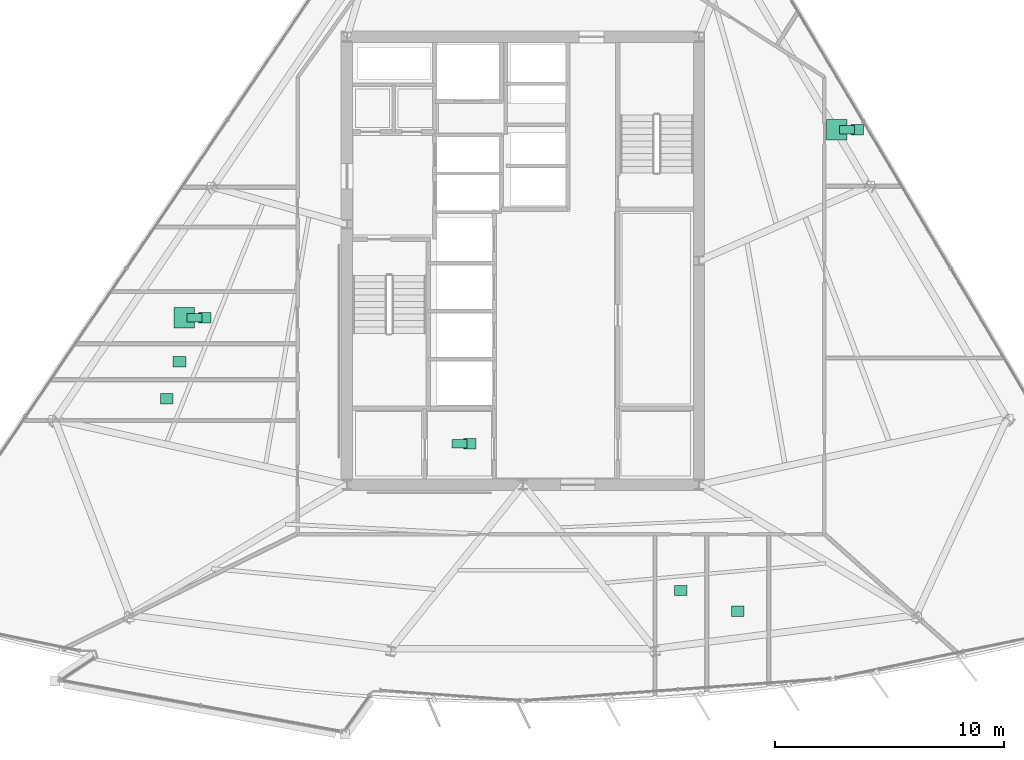
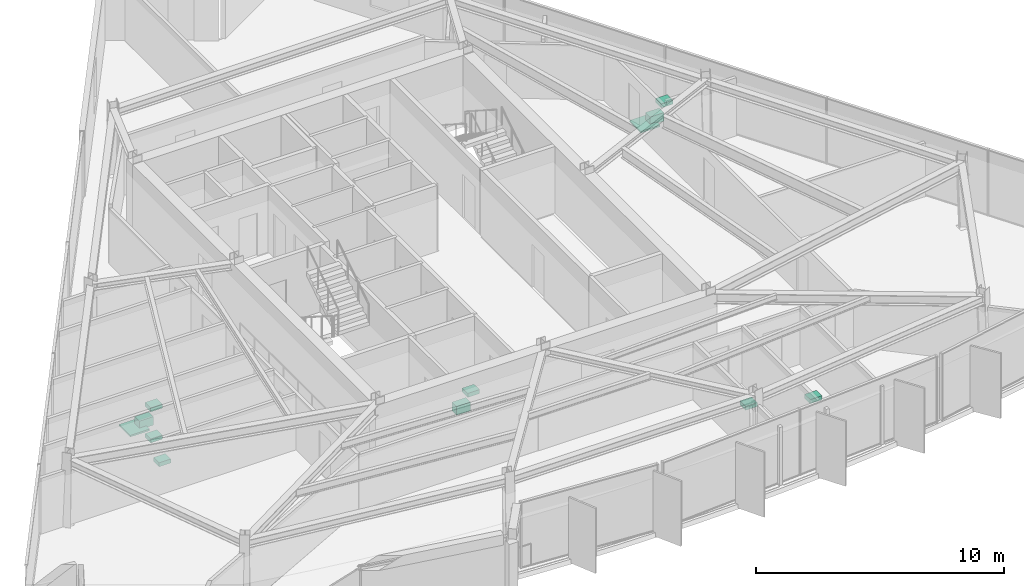
# One storey, part 14 of 14: 12 sanitary terminals.
"""IFC4 building model written with IfcOpenShell, lengths in metres."""

from ifc_helpers import new_model, si_unit, direction, frame, origin, origin_2d, place, context, subcontext, project, spatial, rectangle, extrude, material, type_object, element, save


model = new_model("IFC4")

# Units and contexts
model_context = context("Model", 3, precision=1e-05, world=origin(), true_north=direction((0.0, 1.0)))
body_context = subcontext(model_context, "Body", "Model", "MODEL_VIEW")
ifc_project = project(units=[si_unit("LENGTHUNIT", "METRE"), si_unit("AREAUNIT", "SQUARE_METRE"), si_unit("VOLUMEUNIT", "CUBIC_METRE"), si_unit("PLANEANGLEUNIT", "RADIAN"), si_unit("MASSUNIT", "GRAM", prefix="KILO")], contexts=[model_context])

# Site, building, storey
site_placement = place(None, origin())
site = spatial("IfcSite", under=ifc_project, at=site_placement, CompositionType="ELEMENT")
building_placement = place(site_placement, origin())
building = spatial("IfcBuilding", under=site, at=building_placement, Name="Savorim Split Tower", CompositionType="ELEMENT")
storey_placement = place(building_placement, frame((0.0, 0.0, 181.800048828125)))
storey = spatial("IfcBuildingStorey", under=building, at=storey_placement, Name="L48", CompositionType="ELEMENT", Elevation=181.800048828125)

# Sanitary terminals
ifc_material = material(Name="Vitreous China Sanitaryware")
sanitary_terminal_type_1 = type_object("IfcSanitaryTerminalType", Name="SAN-SHW-900", PredefinedType="SHOWER", material=ifc_material)
for number, where, z_axis, x_axis, name in (
    (1, (-14.8173828125, -2.083984375, 0.0), (0.0, 0.0, 1.0), (1.0, 0.0, 0.0), "L48 Shared Bathroom Shower"),
    (2, (13.715576171875, 6.135986328125, 0.0), (0.0, 0.0, 1.0), (1.0, 0.0, 0.0), "L48 Shared Bathroom Shower"),
):
    element("IfcSanitaryTerminal", number, at=place(storey_placement, frame(where, z_axis=z_axis, x_axis=x_axis)), inside=storey, type_object=sanitary_terminal_type_1, Name=name, PredefinedType="SHOWER", context=body_context, shape_type="SweptSolid", body=[
        extrude(rectangle(XDim=0.89990234375, YDim=0.89990234375, at=origin_2d()), origin(), (0.0, 0.0, 1.0), 0.080078125),
    ])
sanitary_terminal_type_2 = type_object("IfcSanitaryTerminalType", Name="SAN-WC-PAN", PredefinedType="TOILETPAN", material=ifc_material)
for number, where, z_axis, x_axis, name in (
    (3, (-2.77490234375, -7.60009765625, 0.0), (0.0, 0.0, 1.0), (1.0, 0.0, 0.0), "L48 Accessible WC WC Pan"),
    (4, (-14.367431640625, -2.083984375, 0.0), (0.0, 0.0, 1.0), (1.0, 0.0, 0.0), "L48 Shared Bathroom WC Pan"),
    (5, (14.16552734375, 6.135986328125, 0.0), (0.0, 0.0, 1.0), (1.0, 0.0, 0.0), "L48 Shared Bathroom WC Pan"),
):
    element("IfcSanitaryTerminal", number, at=place(storey_placement, frame(where, z_axis=z_axis, x_axis=x_axis)), inside=storey, type_object=sanitary_terminal_type_2, Name=name, PredefinedType="TOILETPAN", context=body_context, shape_type="SweptSolid", body=[
        extrude(rectangle(XDim=0.64990234375, YDim=0.3798828125, at=origin_2d()), origin(), (0.0, 0.0, 1.0), 0.419921875),
    ])
sanitary_terminal_type_3 = type_object("IfcSanitaryTerminalType", Name="SAN-WHB-550", PredefinedType="WASHHANDBASIN", material=ifc_material)
for number, where, z_axis, x_axis, name in (
    (6, (-2.324951171875, -7.60009765625, 0.72021484375), (0.0, 0.0, 1.0), (1.0, 0.0, 0.0), "L48 Accessible WC Washhand Basin"),
    (7, (-13.91748046875, -2.083984375, 0.72021484375), (0.0, 0.0, 1.0), (1.0, 0.0, 0.0), "L48 Shared Bathroom Washhand Basin"),
    (8, (-15.023681640625, -4.013916015625, 0.75), (0.0, 0.0, 1.0), (1.0, 0.0, 0.0), "L48 Shared Kitchen Utility Sink"),
    (9, (-15.575927734375, -5.63720703125, 0.75), (0.0, 0.0, 1.0), (1.0, 0.0, 0.0), "L48 Community Laundry Room Utility Sink"),
    (10, (6.908203125, -14.02099609375, 0.75), (0.0, 0.0, 1.0), (1.0, 0.0, 0.0), "L48 Shared Kitchen Utility Sink"),
    (11, (9.3994140625, -14.923095703125, 0.75), (0.0, 0.0, 1.0), (1.0, 0.0, 0.0), "L48 Shared Kitchen Utility Sink"),
    (12, (14.615478515625, 6.135986328125, 0.72021484375), (0.0, 0.0, 1.0), (1.0, 0.0, 0.0), "L48 Shared Bathroom Washhand Basin"),
):
    element("IfcSanitaryTerminal", number, at=place(storey_placement, frame(where, z_axis=z_axis, x_axis=x_axis)), inside=storey, type_object=sanitary_terminal_type_3, Name=name, PredefinedType="WASHHANDBASIN", context=body_context, shape_type="SweptSolid", body=[
        extrude(rectangle(XDim=0.550048828125, YDim=0.449951171875, at=origin_2d()), origin(), (0.0, 0.0, 1.0), 0.199951171875),
    ])

save(model, "model.ifc")
